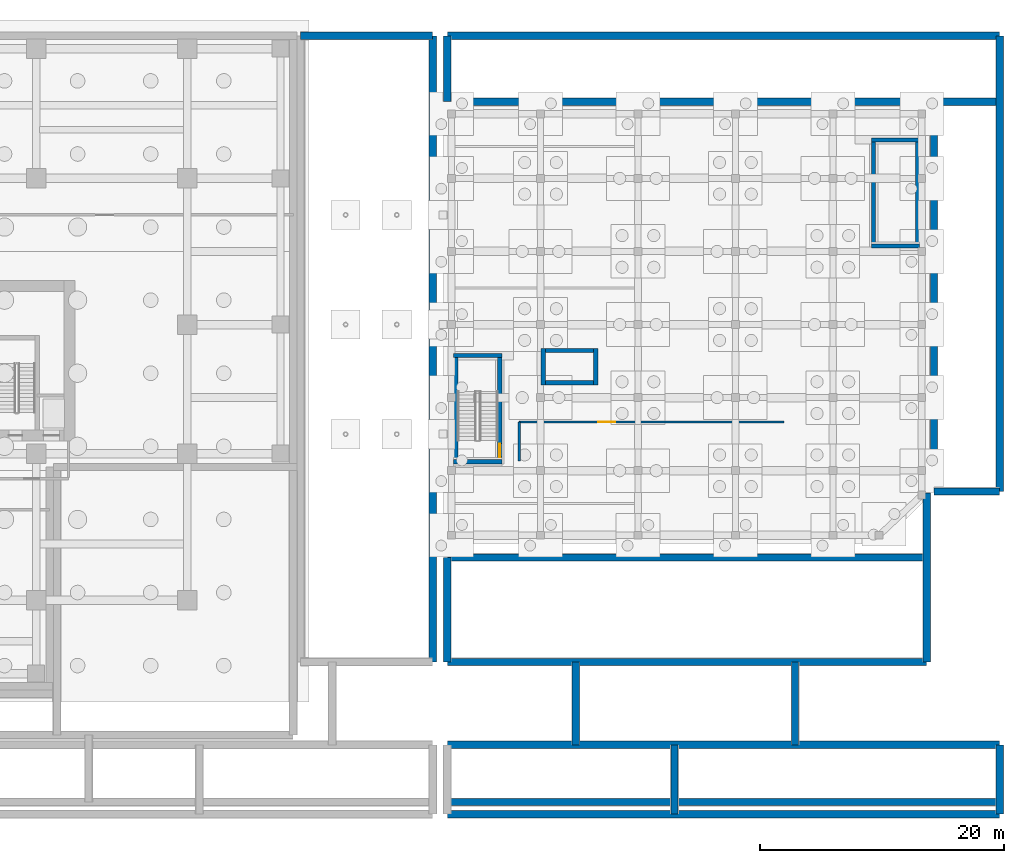
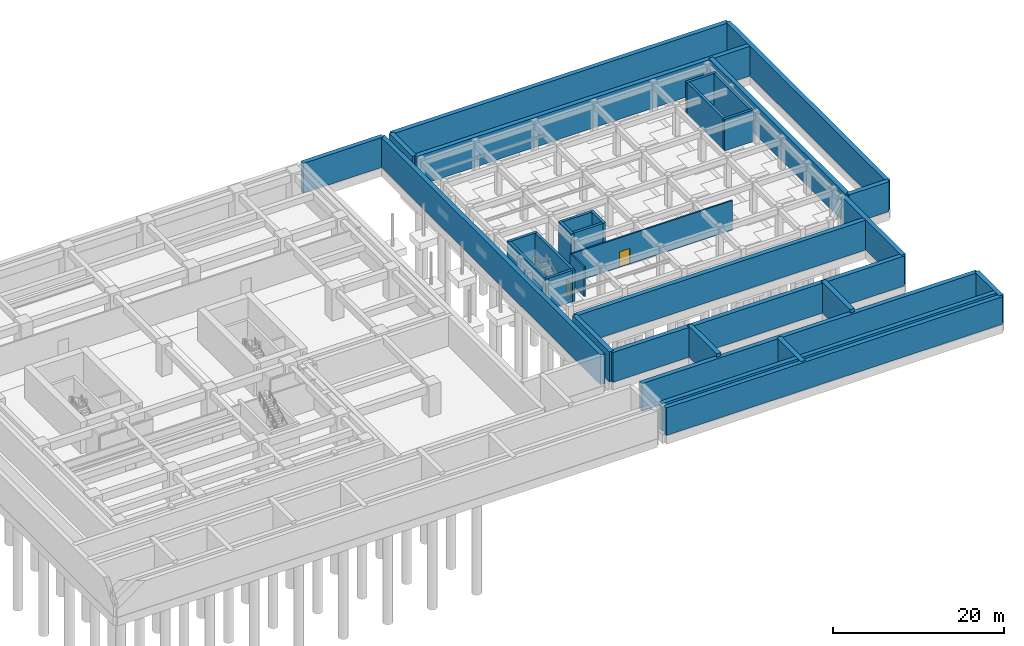
# One storey, part 10 of 14: 33 walls, 2 doors, 2 openings.
"""IFC4 building model written with IfcOpenShell, lengths in metres."""

from ifc_helpers import new_model, si_unit, direction, frame, frame_2d, origin, place, context, subcontext, project, spatial, rectangle, extrude, source, transform, mapped, material, layer, layer_set, type_object, element, fill, save


model = new_model("IFC4")

# Units and contexts
model_context = context("Model", 3, precision=1e-05, world=origin(), true_north=direction((0.0, 1.0)))
body_context = subcontext(model_context, "Body", "Model", "MODEL_VIEW")
ifc_project = project(units=[si_unit("LENGTHUNIT", "METRE"), si_unit("AREAUNIT", "SQUARE_METRE"), si_unit("VOLUMEUNIT", "CUBIC_METRE"), si_unit("PLANEANGLEUNIT", "RADIAN"), si_unit("MASSUNIT", "GRAM", prefix="KILO")], contexts=[model_context])

# Site, building, storey
site_placement = place(None, origin())
site = spatial("IfcSite", under=ifc_project, at=site_placement, CompositionType="ELEMENT")
building_placement = place(site_placement, origin())
building = spatial("IfcBuilding", under=site, at=building_placement, Name="Khoralis Quay Care Tower", CompositionType="ELEMENT")
storey_placement = place(building_placement, frame((0.0, 0.0, -4.5)))
storey = spatial("IfcBuildingStorey", under=building, at=storey_placement, Name="B1", CompositionType="ELEMENT", Elevation=-4.5)

# Walls
ifc_material_1 = material(Name="Concrete C50/60", Category="concrete")
ifc_layer_1 = layer(ifc_material_1, 0.60009765625)
ifc_layer_set_1 = layer_set([ifc_layer_1], Name="Concrete C50/60")
wall_type_1 = type_object("IfcWallType", Name="WL-BSMT-RET-600", PredefinedType="SOLIDWALL", material=ifc_layer_set_1)
for number, where, z_axis, x_axis, name in (
    (1, (78.89990234375, -10.5, 0.0), (0.0, 0.0, 1.0), (0.0, 1.0, 0.0), "Waterfront Quay Substructure Retaining Plinth Wall 5"),
    (2, (96.89990234375, -10.5, 0.0), (0.0, 0.0, 1.0), (0.0, 1.0, 0.0), "Waterfront Quay Substructure Retaining Plinth Wall 6"),
):
    element("IfcWall", number, at=place(storey_placement, frame(where, z_axis=z_axis, x_axis=x_axis)), inside=storey, type_object=wall_type_1, Name=name, PredefinedType="SOLIDWALL", context=body_context, shape_type="SweptSolid", body=[
        extrude(rectangle(XDim=6.800048828125, YDim=0.60009765625, at=frame_2d((3.39990234375, 0.0))), origin(), (0.0, 0.0, 1.0), 4.419921875),
    ])
wall_1_placement = place(storey_placement, frame((67.14990234375, -3.699951171875, 0.0), z_axis=(0.0, 0.0, 1.0), x_axis=(0.0, 1.0, 0.0)))
element("IfcWall", 3, at=wall_1_placement, inside=storey, type_object=wall_type_1, Name="Quay Promenade Substructure Retaining Plinth Wall 9", PredefinedType="SOLIDWALL", context=body_context, shape_type="SweptSolid", body=[
    extrude(rectangle(XDim=51.39990234375, YDim=0.60009765625, at=frame_2d((25.699951171875, 0.0))), origin(), (0.0, 0.0, 1.0), 4.260009765625),
])
wall_2_placement = place(storey_placement, frame((56.300048828125, 47.699951171875, 0.0), z_axis=(0.0, 0.0, 1.0), x_axis=(1.0, 0.0, 0.0)))
element("IfcWall", 4, at=wall_2_placement, inside=storey, type_object=wall_type_1, Name="Quay Promenade Substructure Retaining Plinth Wall 11", PredefinedType="SOLIDWALL", context=body_context, shape_type="SweptSolid", body=[
    extrude(rectangle(XDim=10.849853515625, YDim=0.60009765625, at=frame_2d((5.4248046875, 0.0))), origin(), (0.0, 0.0, 1.0), 4.260009765625),
])
for number, where, z_axis, x_axis, name in (
    (5, (68.35009765625, -3.699951171875, 0.0), (0.0, 0.0, 1.0), (1.0, 0.0, 0.0), "Quay Promenade Substructure Retaining Plinth Wall 12"),
    (6, (68.35009765625, 4.8798828125, 0.0), (0.0, 0.0, 1.0), (1.0, 0.0, 0.0), "Quay Promenade Substructure Retaining Plinth Wall 13"),
):
    element("IfcWall", number, at=place(storey_placement, frame(where, z_axis=z_axis, x_axis=x_axis)), inside=storey, type_object=wall_type_1, Name=name, PredefinedType="SOLIDWALL", context=body_context, shape_type="SweptSolid", body=[
        extrude(rectangle(XDim=39.349853515625, YDim=0.60009765625, at=frame_2d((19.6748046875, 0.0))), origin(), (0.0, 0.0, 1.0), 4.260009765625),
    ])
wall_3_placement = place(storey_placement, frame((68.35009765625, -3.699951171875, 0.0), z_axis=(0.0, 0.0, 1.0), x_axis=(0.0, 1.0, 0.0)))
element("IfcWall", 7, at=wall_3_placement, inside=storey, type_object=wall_type_1, Name="Quay Promenade Substructure Retaining Plinth Wall 14", PredefinedType="SOLIDWALL", context=body_context, shape_type="SweptSolid", body=[
    extrude(rectangle(XDim=8.579833984375, YDim=0.60009765625, at=frame_2d((4.2900390625, 0.0))), origin(), (0.0, 0.0, 1.0), 4.260009765625),
])
wall_4_placement = place(storey_placement, frame((107.699951171875, -3.699951171875, 0.0), z_axis=(0.0, 0.0, 1.0), x_axis=(0.0, 1.0, 0.0)))
element("IfcWall", 8, at=wall_4_placement, inside=storey, type_object=wall_type_1, Name="Quay Promenade Substructure Retaining Plinth Wall 15", PredefinedType="SOLIDWALL", context=body_context, shape_type="SweptSolid", body=[
    extrude(rectangle(XDim=13.8798828125, YDim=0.60009765625, at=frame_2d((6.93994140625, 0.0))), origin(), (0.0, 0.0, 1.0), 4.260009765625),
])
wall_5_placement = place(storey_placement, frame((108.300048828125, 10.300048828125, 0.0), z_axis=(0.0, 0.0, 1.0), x_axis=(0.0, 1.0, 0.0)))
element("IfcWall", 9, at=wall_5_placement, inside=storey, type_object=wall_type_1, Name="Quay Promenade Substructure Retaining Plinth Wall 16", PredefinedType="SOLIDWALL", context=body_context, shape_type="SweptSolid", body=[
    extrude(rectangle(XDim=32.0, YDim=0.60009765625, at=frame_2d((16.0, 0.0))), origin(), (0.0, 0.0, 1.0), 4.260009765625),
])
wall_6_placement = place(storey_placement, frame((113.699951171875, 10.300048828125, 0.0), z_axis=(0.0, 0.0, 1.0), x_axis=(0.0, 1.0, 0.0)))
element("IfcWall", 10, at=wall_6_placement, inside=storey, type_object=wall_type_1, Name="Quay Promenade Substructure Retaining Plinth Wall 17", PredefinedType="SOLIDWALL", context=body_context, shape_type="SweptSolid", body=[
    extrude(rectangle(XDim=37.39990234375, YDim=0.60009765625, at=frame_2d((18.699951171875, 0.0))), origin(), (0.0, 0.0, 1.0), 4.260009765625),
])
wall_7_placement = place(storey_placement, frame((108.300048828125, 10.300048828125, 0.0), z_axis=(0.0, 0.0, 1.0), x_axis=(1.0, 0.0, 0.0)))
element("IfcWall", 11, at=wall_7_placement, inside=storey, type_object=wall_type_1, Name="Quay Promenade Substructure Retaining Plinth Wall 18", PredefinedType="SOLIDWALL", context=body_context, shape_type="SweptSolid", body=[
    extrude(rectangle(XDim=5.39990234375, YDim=0.60009765625, at=frame_2d((2.699951171875, 0.0))), origin(), (0.0, 0.0, 1.0), 4.260009765625),
])
for number, where, z_axis, x_axis, name in (
    (12, (68.35009765625, 42.300048828125, 0.0), (0.0, 0.0, 1.0), (1.0, 0.0, 0.0), "Quay Promenade Substructure Retaining Plinth Wall 19"),
    (13, (68.35009765625, 47.699951171875, 0.0), (0.0, 0.0, 1.0), (1.0, 0.0, 0.0), "Quay Promenade Substructure Retaining Plinth Wall 20"),
):
    element("IfcWall", number, at=place(storey_placement, frame(where, z_axis=z_axis, x_axis=x_axis)), inside=storey, type_object=wall_type_1, Name=name, PredefinedType="SOLIDWALL", context=body_context, shape_type="SweptSolid", body=[
        extrude(rectangle(XDim=45.349853515625, YDim=0.60009765625, at=frame_2d((22.6748046875, 0.0))), origin(), (0.0, 0.0, 1.0), 4.260009765625),
    ])
wall_8_placement = place(storey_placement, frame((68.35009765625, 42.300048828125, 0.0), z_axis=(0.0, 0.0, 1.0), x_axis=(0.0, 1.0, 0.0)))
element("IfcWall", 14, at=wall_8_placement, inside=storey, type_object=wall_type_1, Name="Quay Promenade Substructure Retaining Plinth Wall 21", PredefinedType="SOLIDWALL", context=body_context, shape_type="SweptSolid", body=[
    extrude(rectangle(XDim=5.39990234375, YDim=0.60009765625, at=frame_2d((2.699951171875, 0.0))), origin(), (0.0, 0.0, 1.0), 4.260009765625),
])
for number, where, z_axis, x_axis, name in (
    (15, (68.35009765625, -16.199951171875, 0.0), (0.0, 0.0, 1.0), (1.0, 0.0, 0.0), "Quay Promenade Substructure Retaining Plinth Wall 29"),
    (16, (68.35009765625, -15.199951171875, 0.0), (0.0, 0.0, 1.0), (1.0, 0.0, 0.0), "Quay Promenade Substructure Retaining Plinth Wall 30"),
    (17, (68.35009765625, -10.5, 0.0), (0.0, 0.0, 1.0), (1.0, 0.0, 0.0), "Quay Promenade Substructure Retaining Plinth Wall 31"),
):
    element("IfcWall", number, at=place(storey_placement, frame(where, z_axis=z_axis, x_axis=x_axis)), inside=storey, type_object=wall_type_1, Name=name, PredefinedType="SOLIDWALL", context=body_context, shape_type="SweptSolid", body=[
        extrude(rectangle(XDim=45.349853515625, YDim=0.60009765625, at=frame_2d((22.6748046875, 0.0))), origin(), (0.0, 0.0, 1.0), 3.93994140625),
    ])
for number, where, z_axis, x_axis, name in (
    (18, (87.0, -16.199951171875, 0.0), (0.0, 0.0, 1.0), (0.0, 1.0, 0.0), "Quay Promenade Substructure Retaining Plinth Wall 33"),
    (19, (113.699951171875, -16.199951171875, 0.0), (0.0, 0.0, 1.0), (0.0, 1.0, 0.0), "Quay Promenade Substructure Retaining Plinth Wall 34"),
):
    element("IfcWall", number, at=place(storey_placement, frame(where, z_axis=z_axis, x_axis=x_axis)), inside=storey, type_object=wall_type_1, Name=name, PredefinedType="SOLIDWALL", context=body_context, shape_type="SweptSolid", body=[
        extrude(rectangle(XDim=5.699951171875, YDim=0.60009765625, at=frame_2d((2.85009765625, 0.0))), origin(), (0.0, 0.0, 1.0), 3.93994140625),
    ])

# Wall, opening, door
ifc_material_2 = material(Name="Gypsum plasterboard on acoustic metal stud")
ifc_layer_2 = layer(ifc_material_2, 0.199951171875)
ifc_layer_set_2 = layer_set([ifc_layer_2], Name="Gypsum plasterboard on acoustic metal stud")
wall_type_2 = type_object("IfcWallType", Name="WL-COMP-200", PredefinedType="PARTITIONING", material=ifc_layer_set_2)
wall_9_placement = place(storey_placement, frame((74.25, 16.0, 0.0), z_axis=(0.0, 0.0, 1.0), x_axis=(1.0, 0.0, 0.0)))
wall_9 = element("IfcWall", 20, at=wall_9_placement, inside=storey, type_object=wall_type_2, Name="B1 School Plant Corridor Wall", PredefinedType="PARTITIONING", context=body_context, shape_type="SweptSolid", body=[
    extrude(rectangle(XDim=21.75, YDim=0.199951171875, at=frame_2d((10.875, 0.0))), origin(), (0.0, 0.0, 1.0), 4.199951171875),
])
opening_1_placement = place(wall_9_placement, frame((6.5, 0.0, 0.0)))
opening_1 = element("IfcOpeningElement", 21, at=opening_1_placement, cuts=wall_9, Name="Opening PD1", PredefinedType="OPENING", context=body_context, shape_type="SweptSolid", body=[
    extrude(rectangle(XDim=1.39990234375, YDim=2.199951171875, at=frame_2d((0.699951171875, 1.10009765625))), frame((0.0, 0.10986328125, 0.0), z_axis=(0.0, -1.0, 0.0), x_axis=(1.0, 0.0, 0.0)), (0.0, 0.0, 1.0), 0.219970703125),
])
ifc_material_3 = material(Name="Fire-rated painted steel", Category="steel")
door_type_1 = type_object("IfcDoorType", Name="DR-PLANT-1400X2200", OperationType="NOTDEFINED", PredefinedType="DOOR", material=ifc_material_3)
shared_shape_1 = source(origin(), body_context, "Body", "SweptSolid", [
    extrude(rectangle(XDim=1.39990234375, YDim=2.199951171875, at=frame_2d((0.699951171875, 1.10009765625))), frame((0.0, 0.02490234375, 0.0), z_axis=(0.0, -1.0, 0.0), x_axis=(1.0, 0.0, 0.0)), (0.0, 0.0, 1.0), 0.050048828125),
])
door_1_placement = place(opening_1_placement, frame((1.39990234375, 0.0, 0.0), z_axis=(0.0, 0.0, 1.0), x_axis=(-1.0, 0.0, 0.0)))
door_1 = element("IfcDoor", 22, at=door_1_placement, inside=storey, type_object=door_type_1, Name="B1 School Plant Room Door", OperationType="DOUBLE_DOOR_SINGLE_SWING", OverallHeight=2.199951171875, OverallWidth=1.39990234375, PredefinedType="DOOR", context=body_context, shape_type="MappedRepresentation", body=[
    mapped(shared_shape_1, transform((0.0, 0.0, 0.0), scale=1.0)),
])
fill(opening_1, door_1)

# Wall
wall_10_placement = place(storey_placement, frame((74.25, 12.800048828125, 0.0), z_axis=(0.0, 0.0, 1.0), x_axis=(0.0, 1.0, 0.0)))
element("IfcWall", 23, at=wall_10_placement, inside=storey, type_object=wall_type_2, Name="B1 School Stair Vestibule Wall", PredefinedType="PARTITIONING", context=body_context, shape_type="SweptSolid", body=[
    extrude(rectangle(XDim=3.199951171875, YDim=0.199951171875, at=frame_2d((1.60009765625, 0.0))), origin(), (0.0, 0.0, 1.0), 4.199951171875),
])

# Wall, opening, door
ifc_material_4 = material(Name="Concrete C40/50", Category="concrete")
ifc_layer_3 = layer(ifc_material_4, 0.35009765625)
ifc_layer_set_3 = layer_set([ifc_layer_3], Name="Concrete C40/50")
wall_type_3 = type_object("IfcWallType", Name="WL-SC-CORE-350", PredefinedType="SHEAR", material=ifc_layer_set_3)
wall_11_placement = place(storey_placement, frame((72.655029296875, 12.570068359375, 0.0), z_axis=(0.0, 0.0, 1.0), x_axis=(0.0, 1.0, 0.0)))
wall_11 = element("IfcWall", 24, at=wall_11_placement, inside=storey, type_object=wall_type_3, Name="B1 School Stair ST-S1 East Shear Wall", PredefinedType="SHEAR", context=body_context, shape_type="SweptSolid", body=[
    extrude(rectangle(XDim=9.059814453125, YDim=0.35009765625, at=frame_2d((4.52978515625, 0.0))), origin(), (0.0, 0.0, 1.0), 4.5),
])
opening_2_placement = place(wall_11_placement, frame((0.550048828125, 0.0, 0.0)))
opening_2 = element("IfcOpeningElement", 25, at=opening_2_placement, cuts=wall_11, Name="Opening SD1", PredefinedType="OPENING", context=body_context, shape_type="SweptSolid", body=[
    extrude(rectangle(XDim=1.10009765625, YDim=2.199951171875, at=frame_2d((0.550048828125, 1.10009765625))), frame((0.0, 0.18505859375, 0.0), z_axis=(0.0, -1.0, 0.0), x_axis=(1.0, 0.0, 0.0)), (0.0, 0.0, 1.0), 0.3701171875),
])
door_type_2 = type_object("IfcDoorType", Name="DR-STAIR-1100X2200", OperationType="NOTDEFINED", PredefinedType="DOOR", material=ifc_material_3)
shared_shape_2 = source(origin(), body_context, "Body", "SweptSolid", [
    extrude(rectangle(XDim=1.10009765625, YDim=2.199951171875, at=frame_2d((0.550048828125, 1.10009765625))), frame((0.0, 0.02490234375, 0.0), z_axis=(0.0, -1.0, 0.0), x_axis=(1.0, 0.0, 0.0)), (0.0, 0.0, 1.0), 0.050048828125),
])
door_2_placement = place(opening_2_placement, origin())
door_2 = element("IfcDoor", 26, at=door_2_placement, inside=storey, type_object=door_type_2, Name="B1 School Stair ST-S1 Fire Door", OperationType="SINGLE_SWING_LEFT", OverallHeight=2.199951171875, OverallWidth=1.10009765625, PredefinedType="DOOR", context=body_context, shape_type="MappedRepresentation", body=[
    mapped(shared_shape_2, transform((0.0, 0.0, 0.0), scale=1.0)),
])
fill(opening_2, door_2)

# Walls
for number, where, z_axis, x_axis, name in (
    (27, (68.8701171875, 12.7451171875, 0.0), (0.0, 0.0, 1.0), (1.0, 0.0, 0.0), "B1 School Stair ST-S1 South Shear Wall"),
    (28, (68.8701171875, 21.455078125, 0.0), (0.0, 0.0, 1.0), (1.0, 0.0, 0.0), "B1 School Stair ST-S1 North Shear Wall"),
):
    element("IfcWall", number, at=place(storey_placement, frame(where, z_axis=z_axis, x_axis=x_axis)), inside=storey, type_object=wall_type_3, Name=name, PredefinedType="SHEAR", context=body_context, shape_type="SweptSolid", body=[
        extrude(rectangle(XDim=3.9599609375, YDim=0.35009765625, at=frame_2d((1.97998046875, 0.0))), origin(), (0.0, 0.0, 1.0), 4.5),
    ])
wall_12_placement = place(storey_placement, frame((69.044921875, 12.570068359375, 0.0), z_axis=(0.0, 0.0, 1.0), x_axis=(0.0, 1.0, 0.0)))
element("IfcWall", 29, at=wall_12_placement, inside=storey, type_object=wall_type_3, Name="B1 School Stair ST-S1 West Shear Wall", PredefinedType="SHEAR", context=body_context, shape_type="SweptSolid", body=[
    extrude(rectangle(XDim=9.059814453125, YDim=0.35009765625, at=frame_2d((4.52978515625, 0.0))), origin(), (0.0, 0.0, 1.0), 4.5),
])
wall_13_placement = place(storey_placement, frame((103.344970703125, 30.27001953125, 0.0), z_axis=(0.0, 0.0, 1.0), x_axis=(0.0, 1.0, 0.0)))
element("IfcWall", 30, at=wall_13_placement, inside=storey, type_object=wall_type_3, Name="B1 School Stair ST-S2 West Shear Wall", PredefinedType="SHEAR", context=body_context, shape_type="SweptSolid", body=[
    extrude(rectangle(XDim=9.06005859375, YDim=0.35009765625, at=frame_2d((4.530029296875, 0.0))), origin(), (0.0, 0.0, 1.0), 4.5),
])
for number, where, z_axis, x_axis, name in (
    (31, (103.169921875, 30.445068359375, 0.0), (0.0, 0.0, 1.0), (1.0, 0.0, 0.0), "B1 School Stair ST-S2 South Shear Wall"),
    (32, (103.169921875, 39.155029296875, 0.0), (0.0, 0.0, 1.0), (1.0, 0.0, 0.0), "B1 School Stair ST-S2 North Shear Wall"),
):
    element("IfcWall", number, at=place(storey_placement, frame(where, z_axis=z_axis, x_axis=x_axis)), inside=storey, type_object=wall_type_3, Name=name, PredefinedType="SHEAR", context=body_context, shape_type="SweptSolid", body=[
        extrude(rectangle(XDim=3.9599609375, YDim=0.35009765625, at=frame_2d((1.97998046875, 0.0))), origin(), (0.0, 0.0, 1.0), 4.5),
    ])
wall_14_placement = place(storey_placement, frame((106.955078125, 30.27001953125, 0.0), z_axis=(0.0, 0.0, 1.0), x_axis=(0.0, 1.0, 0.0)))
element("IfcWall", 33, at=wall_14_placement, inside=storey, type_object=wall_type_3, Name="B1 School Stair ST-S2 East Shear Wall", PredefinedType="SHEAR", context=body_context, shape_type="SweptSolid", body=[
    extrude(rectangle(XDim=9.06005859375, YDim=0.35009765625, at=frame_2d((4.530029296875, 0.0))), origin(), (0.0, 0.0, 1.0), 4.5),
])
for number, where, z_axis, x_axis, name in (
    (34, (76.22509765625, 19.050048828125, 0.0), (0.0, 0.0, 1.0), (0.0, 1.0, 0.0), "WL-SCCORE-B1-W"),
    (35, (80.52490234375, 19.050048828125, 0.0), (0.0, 0.0, 1.0), (0.0, 1.0, 0.0), "WL-SCCORE-B1-E"),
):
    element("IfcWall", number, at=place(storey_placement, frame(where, z_axis=z_axis, x_axis=x_axis)), inside=storey, type_object=wall_type_3, Name=name, PredefinedType="SHEAR", context=body_context, shape_type="SweptSolid", body=[
        extrude(rectangle(XDim=3.0, YDim=0.35009765625, at=frame_2d((1.5, 0.0))), origin(), (0.0, 0.0, 1.0), 4.5),
    ])
for number, where, z_axis, x_axis, name in (
    (36, (76.39990234375, 21.875, 0.0), (0.0, 0.0, 1.0), (1.0, 0.0, 0.0), "WL-SCCORE-B1-N"),
    (37, (76.39990234375, 19.22509765625, 0.0), (0.0, 0.0, 1.0), (1.0, 0.0, 0.0), "WL-SCCORE-B1-S"),
):
    element("IfcWall", number, at=place(storey_placement, frame(where, z_axis=z_axis, x_axis=x_axis)), inside=storey, type_object=wall_type_3, Name=name, PredefinedType="SHEAR", context=body_context, shape_type="SweptSolid", body=[
        extrude(rectangle(XDim=3.9501953125, YDim=0.35009765625, at=frame_2d((1.97509765625, 0.0))), origin(), (0.0, 0.0, 1.0), 4.5),
    ])

save(model, "model.ifc")
